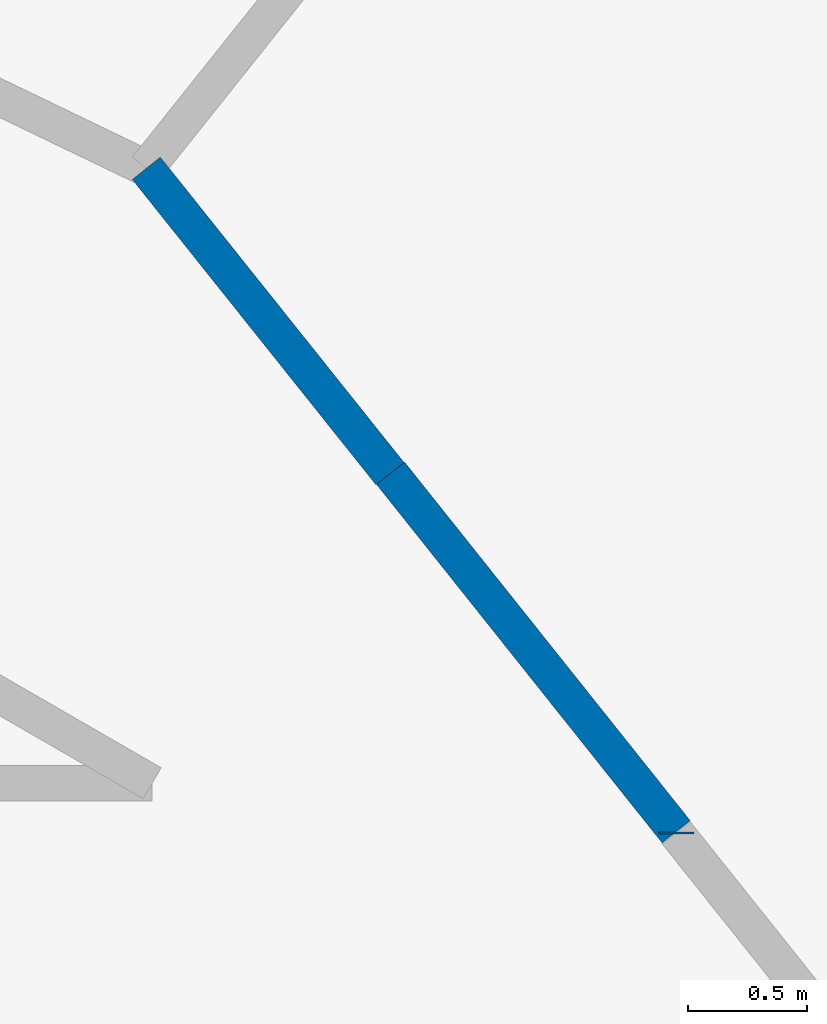
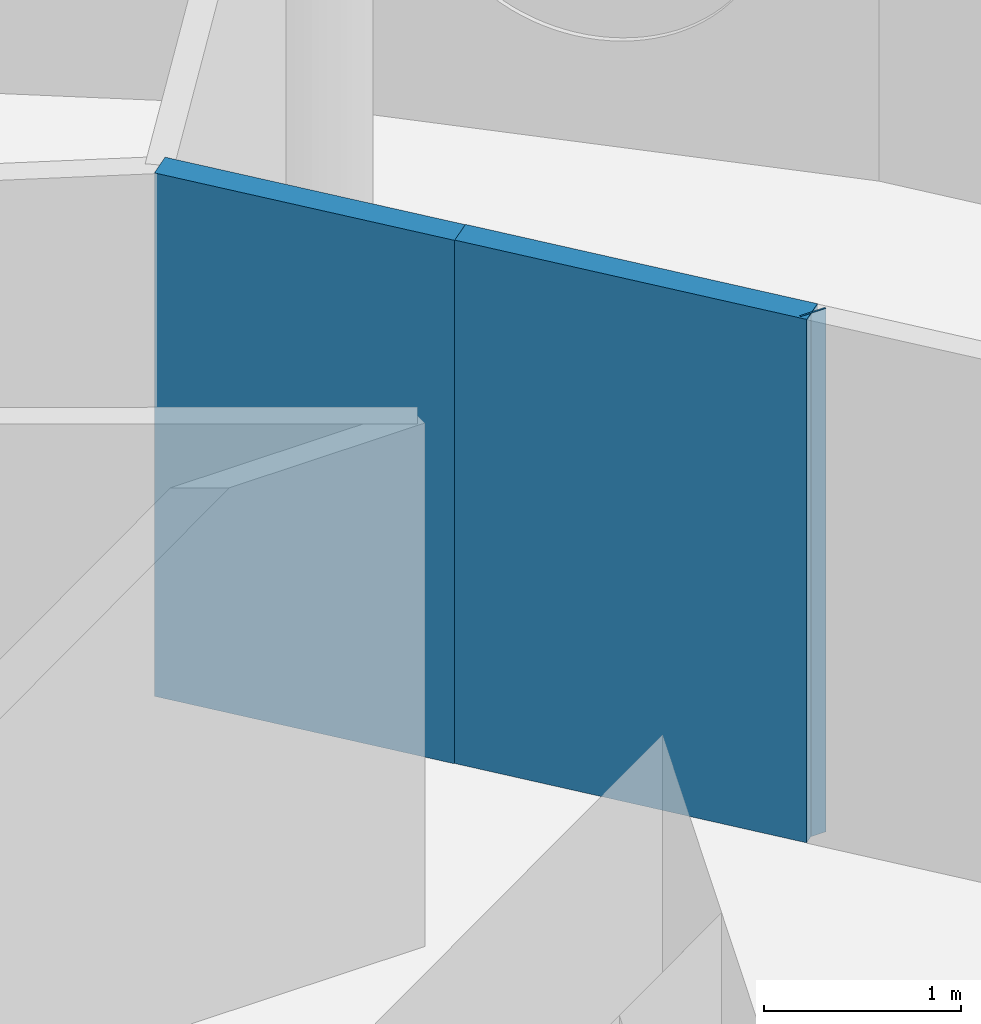
# One storey, part 8 of 12: 3 walls.
"""IFC4 building model written with IfcOpenShell, lengths in metres."""

from ifc_helpers import new_model, si_unit, direction, frame, frame_2d, origin, place, context, subcontext, project, spatial, rectangle, extrude, material, layer, layer_set, type_object, element, save


model = new_model("IFC4")

# Units and contexts
model_context = context("Model", 3, precision=1e-05, world=origin(), true_north=direction((0.0, 1.0)))
body_context = subcontext(model_context, "Body", "Model", "MODEL_VIEW")
ifc_project = project(units=[si_unit("LENGTHUNIT", "METRE"), si_unit("AREAUNIT", "SQUARE_METRE"), si_unit("VOLUMEUNIT", "CUBIC_METRE"), si_unit("PLANEANGLEUNIT", "RADIAN"), si_unit("MASSUNIT", "GRAM", prefix="KILO")], contexts=[model_context])

# Site, building, storey
site_placement = place(None, origin())
site = spatial("IfcSite", under=ifc_project, at=site_placement, CompositionType="ELEMENT")
building_placement = place(site_placement, origin())
building = spatial("IfcBuilding", under=site, at=building_placement, Name="Tracery Tower", CompositionType="ELEMENT")
storey_placement = place(building_placement, frame((0.0, 0.0, 327.0)))
storey = spatial("IfcBuildingStorey", under=building, at=storey_placement, Name="L85", CompositionType="ELEMENT", Elevation=327.0)

# Walls
ifc_material = material(Name="Plasterboard on steel studs", Category="steel")
ifc_layer = layer(ifc_material, 0.14990234375)
ifc_layer_set = layer_set([ifc_layer], Name="Partition 150 corridor wall")
wall_type = type_object("IfcWallType", Name="Partition 150 corridor wall", PredefinedType="PARTITIONING", material=ifc_layer_set)
wall_1_placement = place(storey_placement, frame((10.10107421875, 10.10107421875, 0.0), z_axis=(0.0, 0.0, 1.0), x_axis=(0.623130947784, -0.782117524362, 0.0)))
element("IfcWall", 1, at=wall_1_placement, inside=storey, type_object=wall_type, Name="Corridor wall RC10-005", PredefinedType="PARTITIONING", context=body_context, shape_type="SweptSolid", body=[
    extrude(rectangle(XDim=1.924072265625, YDim=0.14990234375, at=frame_2d((0.9619140625, 0.0))), origin(), (0.0, 0.0, 1.0), 3.25),
])
wall_2_placement = place(storey_placement, frame((11.300048828125, 8.5859375, 0.0), z_axis=(0.0, 0.0, 1.0), x_axis=(0.0, 1.0, 0.0)))
element("IfcWall", 2, at=wall_2_placement, inside=storey, type_object=wall_type, Name="Corridor wall RC10-007", PredefinedType="PARTITIONING", context=body_context, shape_type="SweptSolid", body=[
    extrude(rectangle(XDim=0.01025390625, YDim=0.14990234375, at=frame_2d((0.005126953125, 0.0))), origin(), (0.0, 0.0, 1.0), 3.25),
])
wall_3_placement = place(storey_placement, frame((9.075927734375, 11.381103515625, 0.0), z_axis=(0.0, 0.0, 1.0), x_axis=(0.623805208652, -0.781579849829, 0.0)))
element("IfcWall", 3, at=wall_3_placement, inside=storey, type_object=wall_type, Name="Corridor wall RC10-025", PredefinedType="PARTITIONING", context=body_context, shape_type="SweptSolid", body=[
    extrude(rectangle(XDim=1.64013671875, YDim=0.14990234375, at=frame_2d((0.820068359375, 0.0))), origin(), (0.0, 0.0, 1.0), 3.25),
])

save(model, "model.ifc")
